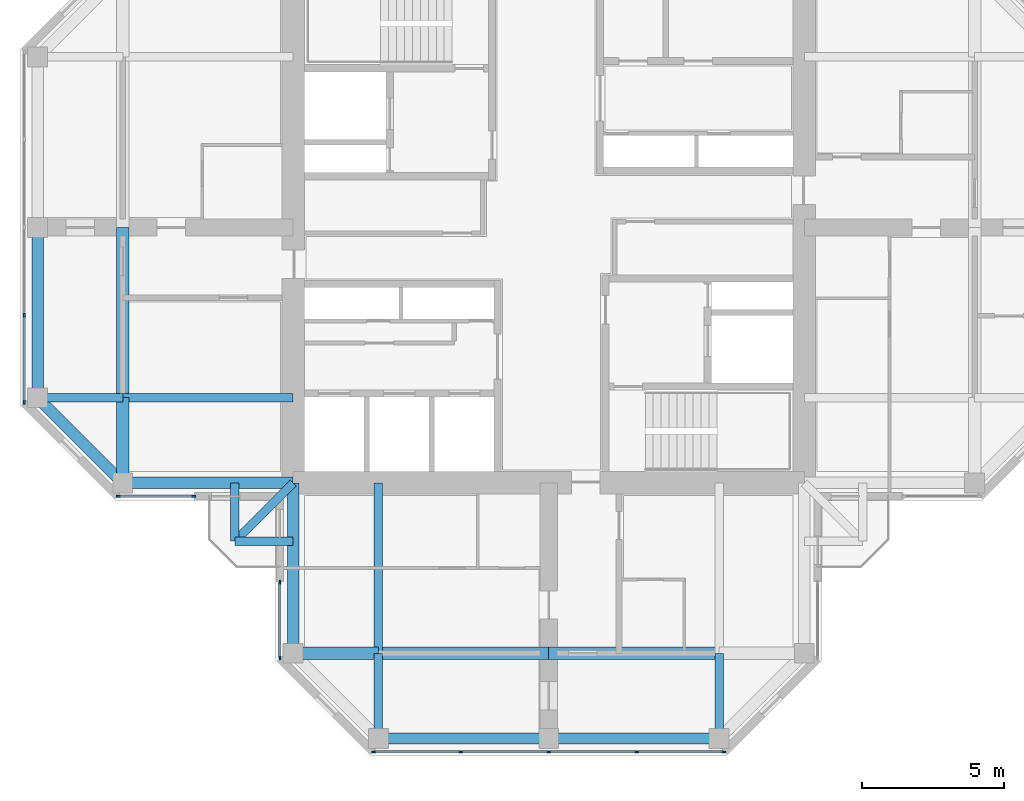
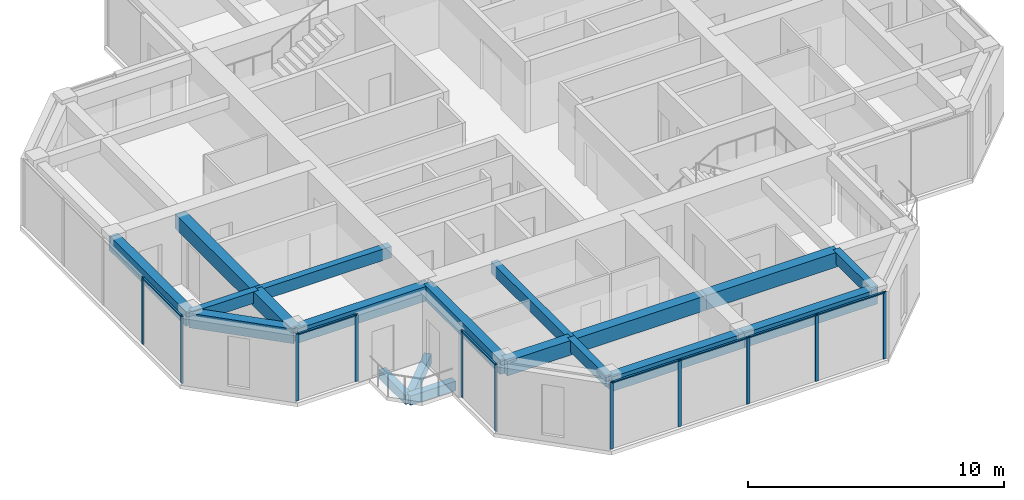
# One storey, part 2 of 13: 19 beams, 18 members, 4 elements without a shape of their own.
"""IFC4 building model written with IfcOpenShell, lengths in metres."""

from ifc_helpers import new_model, si_unit, direction, frame, origin, origin_2d, place, context, subcontext, project, spatial, rectangle, extrude, material, material_profile, profile_set, type_object, element, aggregate, save


model = new_model("IFC4")

# Units and contexts
model_context = context("Model", 3, precision=1e-05, world=origin(), true_north=direction((0.0, 1.0)))
body_context = subcontext(model_context, "Body", "Model", "MODEL_VIEW")
ifc_project = project(units=[si_unit("LENGTHUNIT", "METRE"), si_unit("AREAUNIT", "SQUARE_METRE"), si_unit("VOLUMEUNIT", "CUBIC_METRE"), si_unit("PLANEANGLEUNIT", "RADIAN"), si_unit("MASSUNIT", "GRAM", prefix="KILO")], contexts=[model_context])

# Site, building, storey
site_placement = place(None, origin())
site = spatial("IfcSite", under=ifc_project, at=site_placement, CompositionType="ELEMENT")
building_placement = place(site_placement, origin())
building = spatial("IfcBuilding", under=site, at=building_placement, Name="Torre Cruceta", CompositionType="ELEMENT")
storey_placement = place(building_placement, frame((0.0, 0.0, 284.89990234375)))
storey = spatial("IfcBuildingStorey", under=building, at=storey_placement, Name="L74", CompositionType="ELEMENT", Elevation=284.89990234375)

# Beams
ifc_material_1 = material(Name="Concrete G60 (fck 60 MPa)", Category="concrete")
ifc_material_profile_1 = material_profile(ifc_material_1, rectangle(XDim=0.300048828125, YDim=0.449951171875, at=origin_2d()), Name="RC 300X450")
ifc_profile_set_1 = profile_set([ifc_material_profile_1], Name="Concrete G60 (fck 60 MPa)")
beam_type_1 = type_object("IfcBeamType", Name="BALCONY CANTILEVER BEAM RC 300X450", PredefinedType="BEAM", material=ifc_profile_set_1)
beam_1_placement = place(storey_placement, frame((-9.0, -9.0, -0.40478515625), z_axis=(-0.707106781187, -0.707106781187, 0.0), x_axis=(0.707106781187, -0.707106781187, 0.0)))
element("IfcBeam", 1, at=beam_1_placement, inside=storey, type_object=beam_type_1, Name="BB1 balcony beam L74 W", PredefinedType="BEAM", context=body_context, shape_type="SweptSolid", body=[
    extrude(rectangle(XDim=0.300048828125, YDim=0.449951171875, at=origin_2d()), origin(), (0.0, 0.0, 1.0), 2.89990234375),
])
for number, where, z_axis, x_axis, name in (
    (2, (-11.050537109375, -9.0, -0.40478515625), (0.0, -1.0, 0.0), (1.0, 0.0, 0.0), "BB1 balcony edge beam L74 W-X"),
    (3, (-9.0, -11.050537109375, -0.40478515625), (-1.0, 0.0, 0.0), (0.0, -1.0, 0.0), "BB1 balcony edge beam L74 W-Y"),
):
    element("IfcBeam", number, at=place(storey_placement, frame(where, z_axis=z_axis, x_axis=x_axis)), inside=storey, type_object=beam_type_1, Name=name, PredefinedType="BEAM", context=body_context, shape_type="SweptSolid", body=[
        extrude(rectangle(XDim=0.300048828125, YDim=0.449951171875, at=origin_2d()), origin(), (0.0, 0.0, 1.0), 2.050537109375),
    ])
ifc_material_2 = material(Name="Concrete G60 (fck 60 MPa)", Category="concrete")
ifc_material_profile_2 = material_profile(ifc_material_2, rectangle(XDim=0.300048828125, YDim=0.550048828125, at=origin_2d()), Name="RC 300X550")
ifc_profile_set_2 = profile_set([ifc_material_profile_2], Name="Concrete G60 (fck 60 MPa)")
beam_type_2 = type_object("IfcBeamType", Name="COLUMN LINE BEAM RC 300X550", PredefinedType="BEAM", material=ifc_profile_set_2)
beam_2_placement = place(storey_placement, frame((-6.0, -9.0, 2.925048828125), z_axis=(0.0, -1.0, 0.0), x_axis=(1.0, 0.0, 0.0)))
element("IfcBeam", 4, at=beam_2_placement, inside=storey, type_object=beam_type_2, Name="LB10 L74 S col- 1", PredefinedType="BEAM", context=body_context, shape_type="SweptSolid", body=[
    extrude(rectangle(XDim=0.300048828125, YDim=0.550048828125, at=origin_2d()), origin(), (0.0, 0.0, 1.0), 6.0),
])
for number, where, z_axis, x_axis, name in (
    (5, (-6.0, -15.0, 2.925048828125), (0.0, -1.0, 0.0), (1.0, 0.0, 0.0), "LB10 L74 S col- 2"),
    (6, (6.0, -15.0, 2.925048828125), (0.0, -1.0, 0.0), (1.0, 0.0, 0.0), "LB10 L74 S col+ 2"),
):
    element("IfcBeam", number, at=place(storey_placement, frame(where, z_axis=z_axis, x_axis=x_axis)), inside=storey, type_object=beam_type_2, Name=name, PredefinedType="BEAM", context=body_context, shape_type="SweptSolid", body=[
        extrude(rectangle(XDim=0.300048828125, YDim=0.550048828125, at=origin_2d()), origin(), (0.0, 0.0, 1.0), 3.0),
    ])
beam_3_placement = place(storey_placement, frame((-9.0, -6.0, 2.925048828125), z_axis=(-1.0, 0.0, 0.0), x_axis=(0.0, -1.0, 0.0)))
element("IfcBeam", 7, at=beam_3_placement, inside=storey, type_object=beam_type_2, Name="LB10 L74 W col+ 1", PredefinedType="BEAM", context=body_context, shape_type="SweptSolid", body=[
    extrude(rectangle(XDim=0.300048828125, YDim=0.550048828125, at=origin_2d()), origin(), (0.0, 0.0, 1.0), 6.0),
])
beam_4_placement = place(storey_placement, frame((-15.0, -6.0, 2.925048828125), z_axis=(-1.0, 0.0, 0.0), x_axis=(0.0, -1.0, 0.0)))
element("IfcBeam", 8, at=beam_4_placement, inside=storey, type_object=beam_type_2, Name="LB10 L74 W col+ 2", PredefinedType="BEAM", context=body_context, shape_type="SweptSolid", body=[
    extrude(rectangle(XDim=0.300048828125, YDim=0.550048828125, at=origin_2d()), origin(), (0.0, 0.0, 1.0), 3.0),
])
ifc_material_3 = material(Name="Concrete G60 (fck 60 MPa)", Category="concrete")
ifc_material_profile_3 = material_profile(ifc_material_3, rectangle(XDim=0.449951171875, YDim=0.699951171875, at=origin_2d()), Name="RC 450X700")
ifc_profile_set_3 = profile_set([ifc_material_profile_3], Name="Concrete G60 (fck 60 MPa)")
beam_type_3 = type_object("IfcBeamType", Name="CROSS BEAM RC 450X700", PredefinedType="BEAM", material=ifc_profile_set_3)
beam_5_placement = place(storey_placement, frame((-9.0, -15.0, 2.85009765625), z_axis=(1.0, 0.0, 0.0), x_axis=(0.0, 1.0, 0.0)))
element("IfcBeam", 9, at=beam_5_placement, inside=storey, type_object=beam_type_3, Name="GB8 L74 S cross15 1", PredefinedType="BEAM", context=body_context, shape_type="SweptSolid", body=[
    extrude(rectangle(XDim=0.449951171875, YDim=0.699951171875, at=origin_2d()), origin(), (0.0, 0.0, 1.0), 3.0),
])
for number, where, z_axis, x_axis, name in (
    (10, (-6.0, -15.0, 2.85009765625), (1.0, 0.0, 0.0), (0.0, 1.0, 0.0), "GB8 L74 S cross15 2"),
    (11, (0.0, -15.0, 2.85009765625), (1.0, 0.0, 0.0), (0.0, 1.0, 0.0), "GB8 L74 S cross15 3"),
    (12, (-15.0, 0.0, 2.85009765625), (0.0, -1.0, 0.0), (1.0, 0.0, 0.0), "GB8 L74 W cross15 3"),
):
    element("IfcBeam", number, at=place(storey_placement, frame(where, z_axis=z_axis, x_axis=x_axis)), inside=storey, type_object=beam_type_3, Name=name, PredefinedType="BEAM", context=body_context, shape_type="SweptSolid", body=[
        extrude(rectangle(XDim=0.449951171875, YDim=0.699951171875, at=origin_2d()), origin(), (0.0, 0.0, 1.0), 6.0),
    ])
beam_6_placement = place(storey_placement, frame((-15.0, -6.0, 2.85009765625), z_axis=(0.0, -1.0, 0.0), x_axis=(1.0, 0.0, 0.0)))
element("IfcBeam", 13, at=beam_6_placement, inside=storey, type_object=beam_type_3, Name="GB8 L74 W cross15 4", PredefinedType="BEAM", context=body_context, shape_type="SweptSolid", body=[
    extrude(rectangle(XDim=0.449951171875, YDim=0.699951171875, at=origin_2d()), origin(), (0.0, 0.0, 1.0), 3.0),
])

# Curtain wall, members
ifc_material_4 = material(Name="Aluminium unitised curtain wall", Category="aluminium")
curtain_wall_type = type_object("IfcCurtainWallType", Name="CURTAIN WALL CW-E CO-LIVING TOP", PredefinedType="USERDEFINED", material=ifc_material_4)
curtain_wall_1_placement = place(storey_placement, origin())
curtain_wall_1 = element("IfcCurtainWall", 14, at=curtain_wall_1_placement, inside=storey, type_object=curtain_wall_type, Name="CW-E L74 W tip 12", ObjectType="UNITISED", PredefinedType="USERDEFINED")
ifc_material_5 = material(Name="Aluminium mullion", Category="aluminium")
ifc_material_profile_4 = material_profile(ifc_material_5, rectangle(XDim=0.054931640625, YDim=0.139892578125, at=origin_2d()), Name="AL 55X140")
ifc_profile_set_4 = profile_set([ifc_material_profile_4], Name="Aluminium mullion")
member_type_1 = type_object("IfcMemberType", Name="CW-E MULLION 55X140", PredefinedType="MULLION", material=ifc_profile_set_4)
member_1_placement = place(storey_placement, frame((-18.469970703125, -3.097412109375, 0.0), z_axis=(0.0, 0.0, 1.0), x_axis=(1.0, 0.0, 0.0)))
member_1 = element("IfcMember", 15, at=member_1_placement, type_object=member_type_1, Name="CW-E mullion 4", PredefinedType="MULLION", context=body_context, shape_type="SweptSolid", body=[
    extrude(rectangle(XDim=0.054931640625, YDim=0.139892578125, at=origin_2d()), origin(), (0.0, 0.0, 1.0), 3.2001953125),
])
member_2_placement = place(storey_placement, frame((-18.469970703125, -6.167236328125, 0.0), z_axis=(0.0, 0.0, 1.0), x_axis=(1.0, 0.0, 0.0)))
member_2 = element("IfcMember", 16, at=member_2_placement, type_object=member_type_1, Name="CW-E mullion 5", PredefinedType="MULLION", context=body_context, shape_type="SweptSolid", body=[
    extrude(rectangle(XDim=0.054931640625, YDim=0.139892578125, at=origin_2d()), origin(), (0.0, 0.0, 1.0), 3.2001953125),
])

curtain_wall_2_placement = place(storey_placement, origin())
curtain_wall_2 = element("IfcCurtainWall", 17, at=curtain_wall_2_placement, inside=storey, type_object=curtain_wall_type, Name="CW-E L74 W side 14", ObjectType="UNITISED", PredefinedType="USERDEFINED")
member_3_placement = place(storey_placement, frame((-15.167236328125, -9.469970703125, 0.0), z_axis=(0.0, 0.0, 1.0), x_axis=(0.0, 1.0, 0.0)))
member_3 = element("IfcMember", 18, at=member_3_placement, type_object=member_type_1, Name="CW-E mullion 1", PredefinedType="MULLION", context=body_context, shape_type="SweptSolid", body=[
    extrude(rectangle(XDim=0.054931640625, YDim=0.139892578125, at=origin_2d()), origin(), (0.0, 0.0, 1.0), 3.2001953125),
])
member_4_placement = place(storey_placement, frame((-12.49755859375, -9.469970703125, 0.0), z_axis=(0.0, 0.0, 1.0), x_axis=(0.0, 1.0, 0.0)))
member_4 = element("IfcMember", 19, at=member_4_placement, type_object=member_type_1, Name="CW-E mullion 2", PredefinedType="MULLION", context=body_context, shape_type="SweptSolid", body=[
    extrude(rectangle(XDim=0.054931640625, YDim=0.139892578125, at=origin_2d()), origin(), (0.0, 0.0, 1.0), 3.2001953125),
])

curtain_wall_3_placement = place(storey_placement, origin())
curtain_wall_3 = element("IfcCurtainWall", 20, at=curtain_wall_3_placement, inside=storey, type_object=curtain_wall_type, Name="CW-E L74 S side 15", ObjectType="UNITISED", PredefinedType="USERDEFINED")
member_5_placement = place(storey_placement, frame((-9.469970703125, -12.49755859375, 0.0), z_axis=(0.0, 0.0, 1.0), x_axis=(1.0, 0.0, 0.0)))
member_5 = element("IfcMember", 21, at=member_5_placement, type_object=member_type_1, Name="CW-E mullion 1", PredefinedType="MULLION", context=body_context, shape_type="SweptSolid", body=[
    extrude(rectangle(XDim=0.054931640625, YDim=0.139892578125, at=origin_2d()), origin(), (0.0, 0.0, 1.0), 3.2001953125),
])
member_6_placement = place(storey_placement, frame((-9.469970703125, -15.167236328125, 0.0), z_axis=(0.0, 0.0, 1.0), x_axis=(1.0, 0.0, 0.0)))
member_6 = element("IfcMember", 22, at=member_6_placement, type_object=member_type_1, Name="CW-E mullion 2", PredefinedType="MULLION", context=body_context, shape_type="SweptSolid", body=[
    extrude(rectangle(XDim=0.054931640625, YDim=0.139892578125, at=origin_2d()), origin(), (0.0, 0.0, 1.0), 3.2001953125),
])

curtain_wall_4_placement = place(storey_placement, origin())
curtain_wall_4 = element("IfcCurtainWall", 23, at=curtain_wall_4_placement, inside=storey, type_object=curtain_wall_type, Name="CW-E L74 S tip 17", ObjectType="UNITISED", PredefinedType="USERDEFINED")
member_7_placement = place(storey_placement, frame((-6.167236328125, -18.469970703125, 0.0), z_axis=(0.0, 0.0, 1.0), x_axis=(0.0, 1.0, 0.0)))
member_7 = element("IfcMember", 24, at=member_7_placement, type_object=member_type_1, Name="CW-E mullion 1", PredefinedType="MULLION", context=body_context, shape_type="SweptSolid", body=[
    extrude(rectangle(XDim=0.054931640625, YDim=0.139892578125, at=origin_2d()), origin(), (0.0, 0.0, 1.0), 3.2001953125),
])
member_8_placement = place(storey_placement, frame((-3.097412109375, -18.469970703125, 0.0), z_axis=(0.0, 0.0, 1.0), x_axis=(0.0, 1.0, 0.0)))
member_8 = element("IfcMember", 25, at=member_8_placement, type_object=member_type_1, Name="CW-E mullion 2", PredefinedType="MULLION", context=body_context, shape_type="SweptSolid", body=[
    extrude(rectangle(XDim=0.054931640625, YDim=0.139892578125, at=origin_2d()), origin(), (0.0, 0.0, 1.0), 3.2001953125),
])
member_9_placement = place(storey_placement, frame((0.0, -18.469970703125, 0.0), z_axis=(0.0, 0.0, 1.0), x_axis=(0.0, 1.0, 0.0)))
member_9 = element("IfcMember", 26, at=member_9_placement, type_object=member_type_1, Name="CW-E mullion 3", PredefinedType="MULLION", context=body_context, shape_type="SweptSolid", body=[
    extrude(rectangle(XDim=0.054931640625, YDim=0.139892578125, at=origin_2d()), origin(), (0.0, 0.0, 1.0), 3.2001953125),
])
member_10_placement = place(storey_placement, frame((3.097412109375, -18.469970703125, 0.0), z_axis=(0.0, 0.0, 1.0), x_axis=(0.0, 1.0, 0.0)))
member_10 = element("IfcMember", 27, at=member_10_placement, type_object=member_type_1, Name="CW-E mullion 4", PredefinedType="MULLION", context=body_context, shape_type="SweptSolid", body=[
    extrude(rectangle(XDim=0.054931640625, YDim=0.139892578125, at=origin_2d()), origin(), (0.0, 0.0, 1.0), 3.2001953125),
])
member_11_placement = place(storey_placement, frame((6.167236328125, -18.469970703125, 0.0), z_axis=(0.0, 0.0, 1.0), x_axis=(0.0, 1.0, 0.0)))
member_11 = element("IfcMember", 28, at=member_11_placement, type_object=member_type_1, Name="CW-E mullion 5", PredefinedType="MULLION", context=body_context, shape_type="SweptSolid", body=[
    extrude(rectangle(XDim=0.054931640625, YDim=0.139892578125, at=origin_2d()), origin(), (0.0, 0.0, 1.0), 3.2001953125),
])

# Member
ifc_material_6 = material(Name="Aluminium transom", Category="aluminium")
ifc_material_profile_5 = material_profile(ifc_material_6, rectangle(XDim=0.090087890625, YDim=0.054931640625, at=origin_2d()), Name="AL 90X55")
ifc_profile_set_5 = profile_set([ifc_material_profile_5], Name="Aluminium transom")
member_type_2 = type_object("IfcMemberType", Name="CW-E TRANSOM 55X90", PredefinedType="USERDEFINED", material=ifc_profile_set_5)
member_12_placement = place(storey_placement, frame((-18.469970703125, -3.124755859375, 3.172607421875), z_axis=(0.0, -1.0, 0.0), x_axis=(1.0, 0.0, 0.0)))
member_12 = element("IfcMember", 29, at=member_12_placement, type_object=member_type_2, Name="CW-E transom 4", ObjectType="TRANSOM", PredefinedType="USERDEFINED", context=body_context, shape_type="SweptSolid", body=[
    extrude(rectangle(XDim=0.090087890625, YDim=0.054931640625, at=origin_2d()), origin(), (0.0, 0.0, 1.0), 3.014892578125),
])

aggregate(curtain_wall_1, [member_1, member_2, member_12])

member_13_placement = place(storey_placement, frame((-15.1396484375, -9.469970703125, 3.172607421875), z_axis=(1.0, 0.0, 0.0), x_axis=(0.0, 1.0, 0.0)))
member_13 = element("IfcMember", 30, at=member_13_placement, type_object=member_type_2, Name="CW-E transom 1", ObjectType="TRANSOM", PredefinedType="USERDEFINED", context=body_context, shape_type="SweptSolid", body=[
    extrude(rectangle(XDim=0.090087890625, YDim=0.054931640625, at=origin_2d()), origin(), (0.0, 0.0, 1.0), 2.61474609375),
])

aggregate(curtain_wall_2, [member_3, member_4, member_13])

member_14_placement = place(storey_placement, frame((-9.469970703125, -12.52490234375, 3.172607421875), z_axis=(0.0, -1.0, 0.0), x_axis=(1.0, 0.0, 0.0)))
member_14 = element("IfcMember", 31, at=member_14_placement, type_object=member_type_2, Name="CW-E transom 1", ObjectType="TRANSOM", PredefinedType="USERDEFINED", context=body_context, shape_type="SweptSolid", body=[
    extrude(rectangle(XDim=0.090087890625, YDim=0.054931640625, at=origin_2d()), origin(), (0.0, 0.0, 1.0), 2.61474609375),
])

aggregate(curtain_wall_3, [member_5, member_6, member_14])

member_15_placement = place(storey_placement, frame((-6.1396484375, -18.469970703125, 3.172607421875), z_axis=(1.0, 0.0, 0.0), x_axis=(0.0, 1.0, 0.0)))
member_15 = element("IfcMember", 32, at=member_15_placement, type_object=member_type_2, Name="CW-E transom 1", ObjectType="TRANSOM", PredefinedType="USERDEFINED", context=body_context, shape_type="SweptSolid", body=[
    extrude(rectangle(XDim=0.090087890625, YDim=0.054931640625, at=origin_2d()), origin(), (0.0, 0.0, 1.0), 3.014892578125),
])

member_16_placement = place(storey_placement, frame((-3.06982421875, -18.469970703125, 3.172607421875), z_axis=(1.0, 0.0, 0.0), x_axis=(0.0, 1.0, 0.0)))
member_16 = element("IfcMember", 33, at=member_16_placement, type_object=member_type_2, Name="CW-E transom 2", ObjectType="TRANSOM", PredefinedType="USERDEFINED", context=body_context, shape_type="SweptSolid", body=[
    extrude(rectangle(XDim=0.090087890625, YDim=0.054931640625, at=origin_2d()), origin(), (0.0, 0.0, 1.0), 3.042236328125),
])

member_17_placement = place(storey_placement, frame((0.027587890625, -18.469970703125, 3.172607421875), z_axis=(1.0, 0.0, 0.0), x_axis=(0.0, 1.0, 0.0)))
member_17 = element("IfcMember", 34, at=member_17_placement, type_object=member_type_2, Name="CW-E transom 3", ObjectType="TRANSOM", PredefinedType="USERDEFINED", context=body_context, shape_type="SweptSolid", body=[
    extrude(rectangle(XDim=0.090087890625, YDim=0.054931640625, at=origin_2d()), origin(), (0.0, 0.0, 1.0), 3.042236328125),
])

member_18_placement = place(storey_placement, frame((3.124755859375, -18.469970703125, 3.172607421875), z_axis=(1.0, 0.0, 0.0), x_axis=(0.0, 1.0, 0.0)))
member_18 = element("IfcMember", 35, at=member_18_placement, type_object=member_type_2, Name="CW-E transom 4", ObjectType="TRANSOM", PredefinedType="USERDEFINED", context=body_context, shape_type="SweptSolid", body=[
    extrude(rectangle(XDim=0.090087890625, YDim=0.054931640625, at=origin_2d()), origin(), (0.0, 0.0, 1.0), 3.014892578125),
])

aggregate(curtain_wall_4, [member_7, member_8, member_9, member_10, member_11, member_15, member_16, member_17, member_18])

# Beams
ifc_material_7 = material(Name="Concrete G60 (fck 60 MPa)", Category="concrete")
ifc_material_profile_6 = material_profile(ifc_material_7, rectangle(XDim=0.39990234375, YDim=0.699951171875, at=origin_2d()), Name="RC 400X700")
ifc_profile_set_6 = profile_set([ifc_material_profile_6], Name="Concrete G60 (fck 60 MPa)")
beam_type_4 = type_object("IfcBeamType", Name="SPANDREL BEAM RC 400X700", PredefinedType="SPANDREL", material=ifc_profile_set_6)
for number, where, z_axis, x_axis, name in (
    (36, (-9.0, -9.0, 2.85009765625), (0.0, -1.0, 0.0), (1.0, 0.0, 0.0), "SB8 L74 S side- 1"),
    (37, (-6.0, -18.0, 2.85009765625), (1.0, 0.0, 0.0), (0.0, 1.0, 0.0), "SB8 L74 S tip 1"),
    (38, (0.0, -18.0, 2.85009765625), (1.0, 0.0, 0.0), (0.0, 1.0, 0.0), "SB8 L74 S tip 2"),
    (39, (-9.0, -9.0, 2.85009765625), (-1.0, 0.0, 0.0), (0.0, -1.0, 0.0), "SB8 L74 W side+ 1"),
):
    element("IfcBeam", number, at=place(storey_placement, frame(where, z_axis=z_axis, x_axis=x_axis)), inside=storey, type_object=beam_type_4, Name=name, PredefinedType="SPANDREL", context=body_context, shape_type="SweptSolid", body=[
        extrude(rectangle(XDim=0.39990234375, YDim=0.699951171875, at=origin_2d()), origin(), (0.0, 0.0, 1.0), 6.0),
    ])
beam_7_placement = place(storey_placement, frame((-15.0, -9.0, 2.85009765625), z_axis=(-0.707106781187, 0.707106781187, 0.0), x_axis=(-0.707106781187, -0.707106781187, 0.0)))
element("IfcBeam", 40, at=beam_7_placement, inside=storey, type_object=beam_type_4, Name="SB8 L74 W side+ 2", PredefinedType="SPANDREL", context=body_context, shape_type="SweptSolid", body=[
    extrude(rectangle(XDim=0.39990234375, YDim=0.699951171875, at=origin_2d()), origin(), (0.0, 0.0, 1.0), 4.24267578125),
])
beam_8_placement = place(storey_placement, frame((-18.0, 0.0, 2.85009765625), z_axis=(0.0, -1.0, 0.0), x_axis=(1.0, 0.0, 0.0)))
element("IfcBeam", 41, at=beam_8_placement, inside=storey, type_object=beam_type_4, Name="SB8 L74 W tip 2", PredefinedType="SPANDREL", context=body_context, shape_type="SweptSolid", body=[
    extrude(rectangle(XDim=0.39990234375, YDim=0.699951171875, at=origin_2d()), origin(), (0.0, 0.0, 1.0), 6.0),
])

save(model, "model.ifc")
